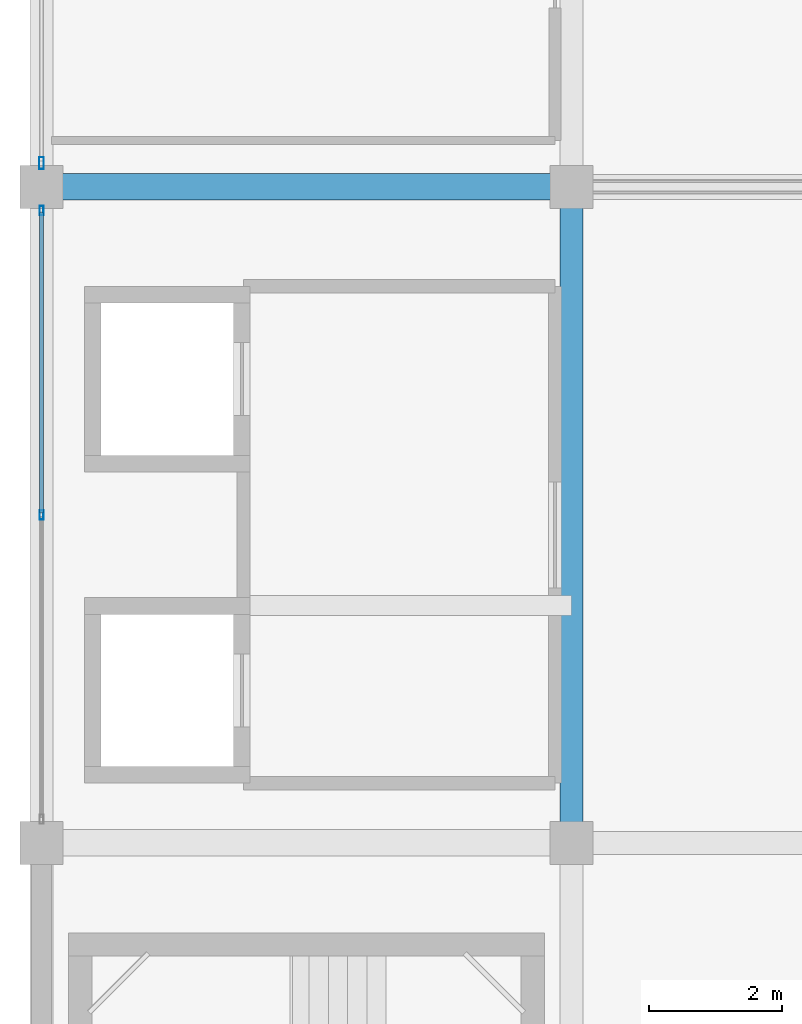
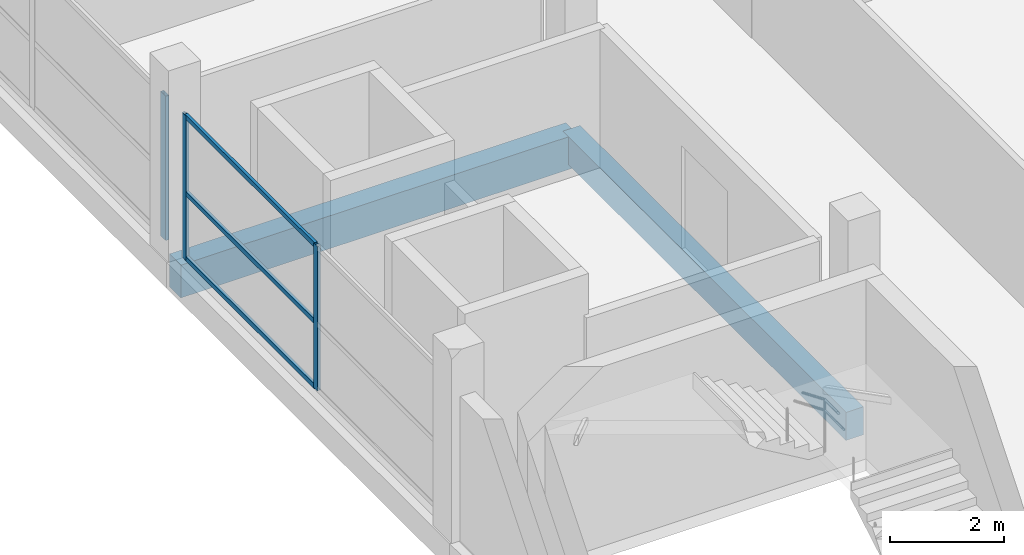
# One storey, part 8 of 53: 6 members, 2 beams, 2 elements without a shape of their own.
"""IFC4 building model written with IfcOpenShell, lengths in metres."""

from ifc_helpers import new_model, si_unit, direction, frame, origin, origin_2d, place, context, subcontext, project, spatial, rectangle, hollow_rectangle, extrude, material, layer, layer_set, material_profile, profile_set, type_object, element, aggregate, save


model = new_model("IFC4")

# Units and contexts
model_context = context("Model", 3, precision=1e-05, world=origin(), true_north=direction((0.0, 1.0)))
body_context = subcontext(model_context, "Body", "Model", "MODEL_VIEW")
ifc_project = project(units=[si_unit("LENGTHUNIT", "METRE"), si_unit("AREAUNIT", "SQUARE_METRE"), si_unit("VOLUMEUNIT", "CUBIC_METRE"), si_unit("PLANEANGLEUNIT", "RADIAN"), si_unit("MASSUNIT", "GRAM", prefix="KILO")], contexts=[model_context])

# Site, building, storey
site_placement = place(None, origin())
site = spatial("IfcSite", under=ifc_project, at=site_placement, CompositionType="ELEMENT")
building_placement = place(site_placement, origin())
building = spatial("IfcBuilding", under=site, at=building_placement, Name="Sillaruma Civic Art Gallery", CompositionType="ELEMENT")
storey_placement = place(building_placement, frame((0.0, 0.0, 70.3798828125)))
storey = spatial("IfcBuildingStorey", under=building, at=storey_placement, Name="L14", CompositionType="ELEMENT", Elevation=70.3798828125)

# Beams
ifc_material_1 = material(Name="Concrete H35 (35 MPa)", Category="concrete")
ifc_material_profile_1 = material_profile(ifc_material_1, rectangle(XDim=0.35009765625, YDim=0.60009765625, at=origin_2d()), Name="RCB350x600")
ifc_profile_set_1 = profile_set([ifc_material_profile_1], Name="Concrete H35 (35 MPa)")
beam_type_1 = type_object("IfcBeamType", Name="BM-BEAM-RCB350x600", PredefinedType="BEAM", material=ifc_profile_set_1)
beam_1_placement = place(storey_placement, frame((70.0, 39.60009765625, -0.5498046875), z_axis=(0.0, 1.0, 0.0), x_axis=(-1.0, 0.0, 0.0)))
element("IfcBeam", 1, at=beam_1_placement, inside=storey, type_object=beam_type_1, Name="Beam BM-06 (L13:G:5-6)", PredefinedType="BEAM", context=body_context, shape_type="SweptSolid", body=[
    extrude(rectangle(XDim=0.35009765625, YDim=0.60009765625, at=origin_2d()), origin(), (0.0, 0.0, 1.0), 9.89990234375),
])
ifc_material_profile_2 = material_profile(ifc_material_1, rectangle(XDim=0.39990234375, YDim=0.699951171875, at=origin_2d()), Name="RCB400x700")
ifc_profile_set_2 = profile_set([ifc_material_profile_2], Name="Concrete H35 (35 MPa)")
beam_type_2 = type_object("IfcBeamType", Name="BM-BEAM-RCB400x700", PredefinedType="BEAM", material=ifc_profile_set_2)
beam_2_placement = place(storey_placement, frame((62.0, 49.5, -0.599853515625), z_axis=(1.0, 0.0, 0.0), x_axis=(0.0, 1.0, 0.0)))
element("IfcBeam", 2, at=beam_2_placement, inside=storey, type_object=beam_type_2, Name="Beam BM-04 (L13:6:F-G)", PredefinedType="BEAM", context=body_context, shape_type="SweptSolid", body=[
    extrude(rectangle(XDim=0.39990234375, YDim=0.699951171875, at=origin_2d()), origin(), (0.0, 0.0, 1.0), 8.0),
])

# Curtain wall, members
ifc_material_2 = material(Name="Thermally Broken Extruded Aluminium 6063-T6", Category="aluminium")
ifc_layer_1 = layer(ifc_material_2, 0.139892578125, Name="Thermally Broken Extruded Aluminium 6063-T6")
ifc_layer_set_1 = layer_set([ifc_layer_1], Name="Thermally Broken Extruded Aluminium 6063-T6")
curtain_wall_type_1 = type_object("IfcCurtainWallType", Name="CW-UNI-93", PredefinedType="NOTDEFINED", material=ifc_layer_set_1)
curtain_wall_1_placement = place(storey_placement, origin())
curtain_wall_1 = element("IfcCurtainWall", 3, at=curtain_wall_1_placement, inside=storey, type_object=curtain_wall_type_1, Name="Unitised Curtain Wall CW-93 (CW-L14-WBW-3)", PredefinedType="NOTDEFINED")
ifc_material_profile_3 = material_profile(ifc_material_2, hollow_rectangle(XDim=0.06005859375, YDim=0.139892578125, WallThickness=0.00341796875, at=origin_2d()), Name="CWM60x140")
ifc_profile_set_3 = profile_set([ifc_material_profile_3], Name="Thermally Broken Extruded Aluminium 6063-T6")
member_type_1 = type_object("IfcMemberType", Name="MEM-MUL-CWM60x140", PredefinedType="MULLION", material=ifc_profile_set_3)
member_1_placement = place(storey_placement, frame((62.0, 44.550048828125, 0.0), z_axis=(0.0, 0.0, 1.0), x_axis=(-1.0, 0.0, 0.0)))
member_1 = element("IfcMember", 4, at=member_1_placement, type_object=member_type_1, Name="CW-93 mullion 2", PredefinedType="MULLION", context=body_context, shape_type="SweptSolid", body=[
    extrude(hollow_rectangle(XDim=0.06005859375, YDim=0.139892578125, WallThickness=0.00341796875, at=origin_2d()), origin(), (0.0, 0.0, 1.0), 3.080078125),
])
member_2_placement = place(storey_placement, frame((62.0, 49.14501953125, 0.0), z_axis=(0.0, 0.0, 1.0), x_axis=(-1.0, 0.0, 0.0)))
member_2 = element("IfcMember", 5, at=member_2_placement, type_object=member_type_1, Name="CW-93 mullion 3", PredefinedType="MULLION", context=body_context, shape_type="SweptSolid", body=[
    extrude(hollow_rectangle(XDim=0.06005859375, YDim=0.139892578125, WallThickness=0.00341796875, at=origin_2d()), origin(), (0.0, 0.0, 1.0), 3.080078125),
])

# Curtain wall, member
ifc_layer_2 = layer(ifc_material_2, 0.179931640625, Name="Thermally Broken Extruded Aluminium 6063-T6")
ifc_layer_set_2 = layer_set([ifc_layer_2], Name="Thermally Broken Extruded Aluminium 6063-T6")
curtain_wall_type_2 = type_object("IfcCurtainWallType", Name="CW-UNI-92", PredefinedType="NOTDEFINED", material=ifc_layer_set_2)
curtain_wall_2_placement = place(storey_placement, origin())
curtain_wall_2 = element("IfcCurtainWall", 6, at=curtain_wall_2_placement, inside=storey, type_object=curtain_wall_type_2, Name="Unitised Curtain Wall CW-92 (CW-L14-WBW-4)", PredefinedType="NOTDEFINED")
ifc_material_profile_4 = material_profile(ifc_material_2, hollow_rectangle(XDim=0.070068359375, YDim=0.179931640625, WallThickness=0.00390625, at=origin_2d()), Name="CWM70x180")
ifc_profile_set_4 = profile_set([ifc_material_profile_4], Name="Thermally Broken Extruded Aluminium 6063-T6")
member_type_2 = type_object("IfcMemberType", Name="MEM-MUL-CWM70x180", PredefinedType="MULLION", material=ifc_profile_set_4)
member_3_placement = place(storey_placement, frame((62.0, 49.860107421875, 0.0), z_axis=(0.0, 0.0, 1.0), x_axis=(-1.0, 0.0, 0.0)))
member_3 = element("IfcMember", 7, at=member_3_placement, type_object=member_type_2, Name="CW-92 mullion 1", PredefinedType="MULLION", context=body_context, shape_type="SweptSolid", body=[
    extrude(hollow_rectangle(XDim=0.070068359375, YDim=0.179931640625, WallThickness=0.00390625, at=origin_2d()), origin(), (0.0, 0.0, 1.0), 3.080078125),
])
aggregate(curtain_wall_2, [member_3])

# Member
ifc_material_profile_5 = material_profile(ifc_material_2, hollow_rectangle(XDim=0.06005859375, YDim=0.10009765625, WallThickness=0.003173828125, at=origin_2d()), Name="CWT60x100")
ifc_profile_set_5 = profile_set([ifc_material_profile_5], Name="Thermally Broken Extruded Aluminium 6063-T6")
member_type_3 = type_object("IfcMemberType", Name="MEM-TRN-CWT60x100", PredefinedType="USERDEFINED", material=ifc_profile_set_5)
member_4_placement = place(storey_placement, frame((62.0, 44.580078125, 0.030029296875), z_axis=(0.0, 1.0, 0.0), x_axis=(-1.0, 0.0, 0.0)))
member_4 = element("IfcMember", 8, at=member_4_placement, type_object=member_type_3, Name="CW-93 transom 2.1", ObjectType="TRANSOM", PredefinedType="USERDEFINED", context=body_context, shape_type="SweptSolid", body=[
    extrude(hollow_rectangle(XDim=0.06005859375, YDim=0.10009765625, WallThickness=0.003173828125, at=origin_2d()), origin(), (0.0, 0.0, 1.0), 4.534912109375),
])

member_5_placement = place(storey_placement, frame((62.0, 44.580078125, 1.4169921875), z_axis=(0.0, 1.0, 0.0), x_axis=(-1.0, 0.0, 0.0)))
member_5 = element("IfcMember", 9, at=member_5_placement, type_object=member_type_3, Name="CW-93 transom 2.2", ObjectType="TRANSOM", PredefinedType="USERDEFINED", context=body_context, shape_type="SweptSolid", body=[
    extrude(hollow_rectangle(XDim=0.06005859375, YDim=0.10009765625, WallThickness=0.003173828125, at=origin_2d()), origin(), (0.0, 0.0, 1.0), 4.534912109375),
])

member_6_placement = place(storey_placement, frame((62.0, 44.580078125, 3.050048828125), z_axis=(0.0, 1.0, 0.0), x_axis=(-1.0, 0.0, 0.0)))
member_6 = element("IfcMember", 10, at=member_6_placement, type_object=member_type_3, Name="CW-93 transom 2.3", ObjectType="TRANSOM", PredefinedType="USERDEFINED", context=body_context, shape_type="SweptSolid", body=[
    extrude(hollow_rectangle(XDim=0.06005859375, YDim=0.10009765625, WallThickness=0.003173828125, at=origin_2d()), origin(), (0.0, 0.0, 1.0), 4.534912109375),
])

aggregate(curtain_wall_1, [member_1, member_2, member_4, member_5, member_6])

save(model, "model.ifc")
